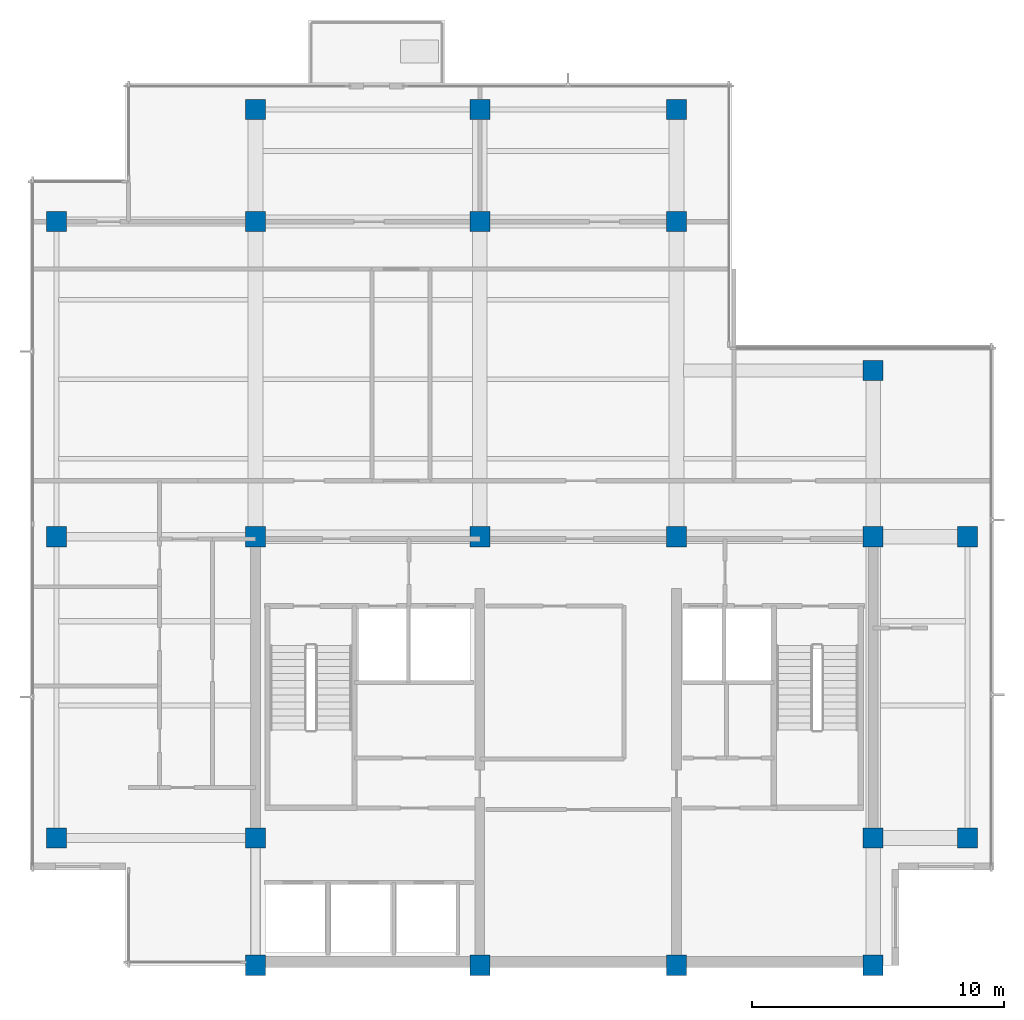
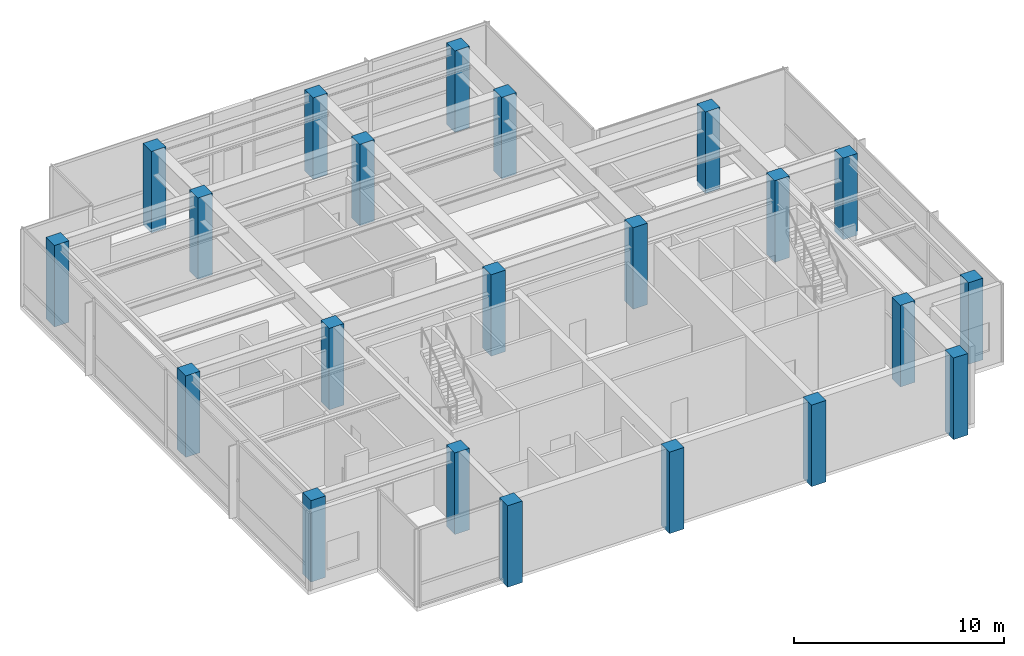
# One storey, part 1 of 11: 22 columns.
"""IFC4 building model written with IfcOpenShell, lengths in metres."""

import ifcopenshell
import ifcopenshell.guid

model = None  # the IFC model being written
_history = None  # IfcOwnerHistory: only IFC2X3 demands one
_inside = {}  # id of a spatial element -> (the spatial element, [elements in it])
_under = {}  # id of a project, library or spatial element -> (it, [spatial elements below it])
_declared = {}  # id of a project -> (the project, [libraries it declares])
_typed = {}  # id of a type object -> (the type object, [elements of that type])
_made_of = {}  # id of a material, layer set ... -> (it, [elements and type objects made of it])


def new_model(schema):
    """Start an empty IFC model of exactly this schema.

    Asked for "IFC4X3", IfcOpenShell would pick the latest addendum, in which some entities
    have other attributes; the version numbers below select the first issue.
    IFC2X3 requires an IfcOwnerHistory on every rooted entity: one is made here for all.
    """
    global model, _history
    if schema == "IFC4X3":
        model = ifcopenshell.file(schema_version=(4, 3, 0, 0))
    else:
        model = ifcopenshell.file(schema=schema)
    _inside.clear()
    _under.clear()
    _declared.clear()
    _typed.clear()
    _made_of.clear()
    _history = None
    if model.schema == "IFC2X3":
        org = make("IfcOrganization", Name="unknown")
        user = make(
            "IfcPersonAndOrganization",
            ThePerson=make("IfcPerson", FamilyName="unknown"),
            TheOrganization=org,
        )
        app = make(
            "IfcApplication",
            ApplicationDeveloper=org,
            Version="unknown",
            ApplicationFullName="unknown",
            ApplicationIdentifier="unknown",
        )
        _history = make(
            "IfcOwnerHistory",
            OwningUser=user,
            OwningApplication=app,
            ChangeAction="ADDED",
            CreationDate=0,
        )
    return model


def make(cls, **values):
    """One entity of the class cls with the attributes given. An attribute that is None is left unset."""
    return model.create_entity(
        cls, **{name: value for name, value in values.items() if value is not None}
    )


def rooted(cls, **values):
    """An entity with a GlobalId (a new one), such as an element, a storey or a relation."""
    return make(cls, GlobalId=ifcopenshell.guid.new(), OwnerHistory=_history, **values)


def si_unit(unit_type, name, prefix=None):
    """IfcSIUnit, for example si_unit("LENGTHUNIT", "METRE", prefix="MILLI")."""
    return make("IfcSIUnit", UnitType=unit_type, Prefix=prefix, Name=name)


def assignment(units):
    """IfcUnitAssignment: the units of a project."""
    return None if units is None else make("IfcUnitAssignment", Units=units)


def point(xyz):
    """IfcCartesianPoint."""
    return None if xyz is None else make("IfcCartesianPoint", Coordinates=xyz)


def direction(xyz):
    """IfcDirection."""
    return None if xyz is None else make("IfcDirection", DirectionRatios=xyz)


def frame(location, z_axis=None, x_axis=None):
    """IfcAxis2Placement3D, a coordinate frame: its origin and axes. An axis left out is left unset."""
    return make(
        "IfcAxis2Placement3D",
        Location=point(location),
        Axis=direction(z_axis),
        RefDirection=direction(x_axis),
    )


def frame_2d(location, x_axis=None):
    """IfcAxis2Placement2D, a coordinate frame in the plane: its origin and x axis."""
    return make(
        "IfcAxis2Placement2D", Location=point(location), RefDirection=direction(x_axis)
    )


def origin():
    """The frame at (0, 0, 0) with its axes left unset."""
    return frame((0.0, 0.0, 0.0))


def origin_2d():
    """The frame at (0, 0) in the plane with its x axis left unset."""
    return frame_2d((0.0, 0.0))


def place(relative_to, where):
    """IfcLocalPlacement: puts the frame where relative to a parent placement (None: the world)."""
    return make(
        "IfcLocalPlacement", PlacementRelTo=relative_to, RelativePlacement=where
    )


def context(
    kind, dimensions, precision=None, world=None, true_north=None, identifier=None
):
    """IfcGeometricRepresentationContext, for example the 3D "Model" context."""
    return make(
        "IfcGeometricRepresentationContext",
        ContextIdentifier=identifier,
        ContextType=kind,
        CoordinateSpaceDimension=dimensions,
        Precision=precision,
        WorldCoordinateSystem=world,
        TrueNorth=true_north,
    )


def subcontext(parent, identifier, kind, view, scale=None):
    """IfcGeometricRepresentationSubContext, for example "Body" below "Model"."""
    return make(
        "IfcGeometricRepresentationSubContext",
        ContextIdentifier=identifier,
        ContextType=kind,
        ParentContext=parent,
        TargetScale=scale,
        TargetView=view,
    )


def project(units=None, contexts=None):
    """IfcProject with its units and contexts."""
    return rooted(
        "IfcProject",
        Name="project",
        RepresentationContexts=contexts,
        UnitsInContext=assignment(units),
    )


def spatial(cls, under=None, at=None, **own):
    """A site, building, storey or space (cls), placed at a placement, below another one or the project."""
    s = rooted(cls, ObjectPlacement=at, **own)
    if under is not None:
        _under.setdefault(under.id(), (under, []))[1].append(s)
    return s


def profile(cls, at=None, kind="AREA", **sizes):
    """A parametric profile (cls). Its sizes go by their IFC names, for example OverallWidth=200.0."""
    return make(cls, ProfileType=kind, Position=at, **sizes)


def rectangle(**sizes):
    """IfcRectangleProfileDef."""
    return profile("IfcRectangleProfileDef", **sizes)


def extrude(swept, where, along, depth):
    """IfcExtrudedAreaSolid: the profile swept, set in the frame where, extruded along a direction by depth."""
    return make(
        "IfcExtrudedAreaSolid",
        SweptArea=swept,
        Position=where,
        ExtrudedDirection=direction(along),
        Depth=depth,
    )


def shape(context_of_items, identifier, shape_type, items):
    """IfcShapeRepresentation: the items that make up one representation, for example the "Body"."""
    return make(
        "IfcShapeRepresentation",
        ContextOfItems=context_of_items,
        RepresentationIdentifier=identifier,
        RepresentationType=shape_type,
        Items=items,
    )


def material(Name=None, Category=None):
    """IfcMaterial."""
    return make("IfcMaterial", Name=Name, Category=Category)


def material_profile(
    of_material, cross_section, Name=None, Category=None, Priority=None
):
    """IfcMaterialProfile: a cross section and its material."""
    return make(
        "IfcMaterialProfile",
        Name=Name,
        Material=of_material,
        Profile=cross_section,
        Priority=Priority,
        Category=Category,
    )


def profile_set(profiles, Name=None, composite=None):
    """IfcMaterialProfileSet."""
    return make(
        "IfcMaterialProfileSet",
        Name=Name,
        MaterialProfiles=profiles,
        CompositeProfile=composite,
    )


def made_of(thing, what):
    """Note that an element or type object is made of a material, layer set ...; save() writes the relation."""
    if what is not None:
        _made_of.setdefault(what.id(), (what, []))[1].append(thing)
    return thing


def type_object(cls, material=None, **own):
    """A type object (cls), such as IfcWallType, which elements share."""
    return made_of(rooted(cls, **own), material)


def element(
    cls,
    number,
    at=None,
    inside=None,
    cuts=None,
    type_object=None,
    material=None,
    context=None,
    identifier="Body",
    shape_type=None,
    held_by="IfcProductDefinitionShape",
    body=None,
    shapes=None,
    **own,
):
    """One element of the class cls, such as IfcWall. Its Tag is "e" and its number.

    at: its placement. inside: the storey or other place that contains it. cuts: it is an
    opening in that element (IfcRelVoidsElement). A single representation is given by context,
    identifier, shape_type and body (its items); several are given by shapes. held_by: the class
    of the entity that holds the representations. save() writes the other relations.
    """
    e = rooted(cls, Tag="e%d" % number, ObjectPlacement=at, **own)
    if body is not None:
        shapes = [shape(context, identifier, shape_type, body)]
    if shapes is not None:
        e.Representation = make(held_by, Representations=shapes)
    if inside is not None:
        _inside.setdefault(inside.id(), (inside, []))[1].append(e)
    if cuts is not None:
        rooted(
            "IfcRelVoidsElement", RelatingBuildingElement=cuts, RelatedOpeningElement=e
        )
    if type_object is not None:
        _typed.setdefault(type_object.id(), (type_object, []))[1].append(e)
    return made_of(e, material)


def aggregate(whole, parts):
    """IfcRelAggregates: a whole, such as a stair, and the parts it consists of."""
    return rooted("IfcRelAggregates", RelatingObject=whole, RelatedObjects=parts)


def save(model, path):
    """Write the relations noted so far, then the file.

    IfcRelAggregates (storeys below a building ...), IfcRelContainedInSpatialStructure (elements
    in a storey), IfcRelDefinesByType, IfcRelAssociatesMaterial and IfcRelDeclares: one each for
    every whole, place, type object, material and project.
    """
    for whole, parts in _under.values():
        aggregate(whole, parts)
    for where, things in _inside.values():
        rooted(
            "IfcRelContainedInSpatialStructure",
            RelatedElements=things,
            RelatingStructure=where,
        )
    for kind, things in _typed.values():
        rooted("IfcRelDefinesByType", RelatedObjects=things, RelatingType=kind)
    for what, things in _made_of.values():
        rooted("IfcRelAssociatesMaterial", RelatedObjects=things, RelatingMaterial=what)
    for by, libraries in _declared.values():
        rooted("IfcRelDeclares", RelatingContext=by, RelatedDefinitions=libraries)
    model.write(path)


model = new_model("IFC4")

# Units and contexts
model_context = context("Model", 3, precision=1e-05, world=origin(), true_north=direction((0.0, 1.0)))
body_context = subcontext(model_context, "Body", "Model", "MODEL_VIEW")
ifc_project = project(units=[si_unit("LENGTHUNIT", "METRE"), si_unit("AREAUNIT", "SQUARE_METRE"), si_unit("VOLUMEUNIT", "CUBIC_METRE"), si_unit("PLANEANGLEUNIT", "RADIAN"), si_unit("MASSUNIT", "GRAM", prefix="KILO")], contexts=[model_context])

# Site, building, storey
site_placement = place(None, origin())
site = spatial("IfcSite", under=ifc_project, at=site_placement, CompositionType="ELEMENT")
building_placement = place(site_placement, origin())
building = spatial("IfcBuilding", under=site, at=building_placement, Name="Qalmaran Belvedere Hotel", CompositionType="ELEMENT")
storey_placement = place(building_placement, frame((0.0, 0.0, 293.89990234375)))
storey = spatial("IfcBuildingStorey", under=building, at=storey_placement, Name="L76", CompositionType="ELEMENT", Elevation=293.89990234375)

# Columns
ifc_material = material(Name="Concrete C50/60", Category="concrete")
ifc_material_profile = material_profile(ifc_material, rectangle(XDim=0.800048828125, YDim=0.800048828125, at=origin_2d()), Name="CC800X800")
ifc_profile_set = profile_set([ifc_material_profile], Name="Concrete C50/60")
column_type = type_object("IfcColumnType", Name="COL-Z5-CC800", PredefinedType="COLUMN", material=ifc_profile_set)
for number, where, z_axis, x_axis, name in (
    (1, (20.300048828125, 3.5, -0.239990234375), (0.0, 0.0, 1.0), (1.0, 0.0, 0.0), "L76 Column C4B"),
    (2, (29.199951171875, 3.5, -0.239990234375), (0.0, 0.0, 1.0), (1.0, 0.0, 0.0), "L76 Column C5B"),
    (3, (37.0, 3.5, -0.239990234375), (0.0, 0.0, 1.0), (1.0, 0.0, 0.0), "L76 Column C6B"),
    (4, (44.800048828125, 3.5, -0.239990234375), (0.0, 0.0, 1.0), (1.0, 0.0, 0.0), "L76 Column C7B"),
    (5, (20.300048828125, 8.550048828125, -0.239990234375), (0.0, 0.0, 1.0), (1.0, 0.0, 0.0), "L76 Column C4C"),
    (6, (44.800048828125, 8.550048828125, -0.239990234375), (0.0, 0.0, 1.0), (1.0, 0.0, 0.0), "L76 Column C7C"),
    (7, (20.300048828125, 20.5, -0.239990234375), (0.0, 0.0, 1.0), (1.0, 0.0, 0.0), "L76 Column C4D"),
    (8, (29.199951171875, 20.5, -0.239990234375), (0.0, 0.0, 1.0), (1.0, 0.0, 0.0), "L76 Column C5D"),
    (9, (37.0, 20.5, -0.239990234375), (0.0, 0.0, 1.0), (1.0, 0.0, 0.0), "L76 Column C6D"),
    (10, (44.800048828125, 20.5, -0.239990234375), (0.0, 0.0, 1.0), (1.0, 0.0, 0.0), "L76 Column C7D"),
    (11, (20.300048828125, 33.0, -0.239990234375), (0.0, 0.0, 1.0), (1.0, 0.0, 0.0), "L76 Column C4F"),
    (12, (29.199951171875, 33.0, -0.239990234375), (0.0, 0.0, 1.0), (1.0, 0.0, 0.0), "L76 Column C5F"),
    (13, (37.0, 33.0, -0.239990234375), (0.0, 0.0, 1.0), (1.0, 0.0, 0.0), "L76 Column C6F"),
    (14, (44.800048828125, 27.10009765625, -0.239990234375), (0.0, 0.0, 1.0), (1.0, 0.0, 0.0), "L76 Column C7E"),
    (15, (12.39990234375, 8.550048828125, -0.239990234375), (0.0, 0.0, 1.0), (1.0, 0.0, 0.0), "L76 Column CW1"),
    (16, (12.39990234375, 20.5, -0.239990234375), (0.0, 0.0, 1.0), (1.0, 0.0, 0.0), "L76 Column CW3"),
    (17, (12.39990234375, 33.0, -0.239990234375), (0.0, 0.0, 1.0), (1.0, 0.0, 0.0), "L76 Column CW4"),
    (18, (48.550048828125, 8.550048828125, -0.239990234375), (0.0, 0.0, 1.0), (1.0, 0.0, 0.0), "L76 Column CE1"),
    (19, (48.550048828125, 20.5, -0.239990234375), (0.0, 0.0, 1.0), (1.0, 0.0, 0.0), "L76 Column CE3"),
    (20, (20.300048828125, 37.449951171875, -0.239990234375), (0.0, 0.0, 1.0), (1.0, 0.0, 0.0), "L76 Column CN1"),
    (21, (29.199951171875, 37.449951171875, -0.239990234375), (0.0, 0.0, 1.0), (1.0, 0.0, 0.0), "L76 Column CN2"),
    (22, (37.0, 37.449951171875, -0.239990234375), (0.0, 0.0, 1.0), (1.0, 0.0, 0.0), "L76 Column CN3"),
):
    element("IfcColumn", number, at=place(storey_placement, frame(where, z_axis=z_axis, x_axis=x_axis)), inside=storey, type_object=column_type, Name=name, PredefinedType="COLUMN", context=body_context, shape_type="SweptSolid", body=[
        extrude(rectangle(XDim=0.800048828125, YDim=0.800048828125, at=origin_2d()), origin(), (0.0, 0.0, 1.0), 4.739990234375),
    ])

save(model, "model.ifc")
